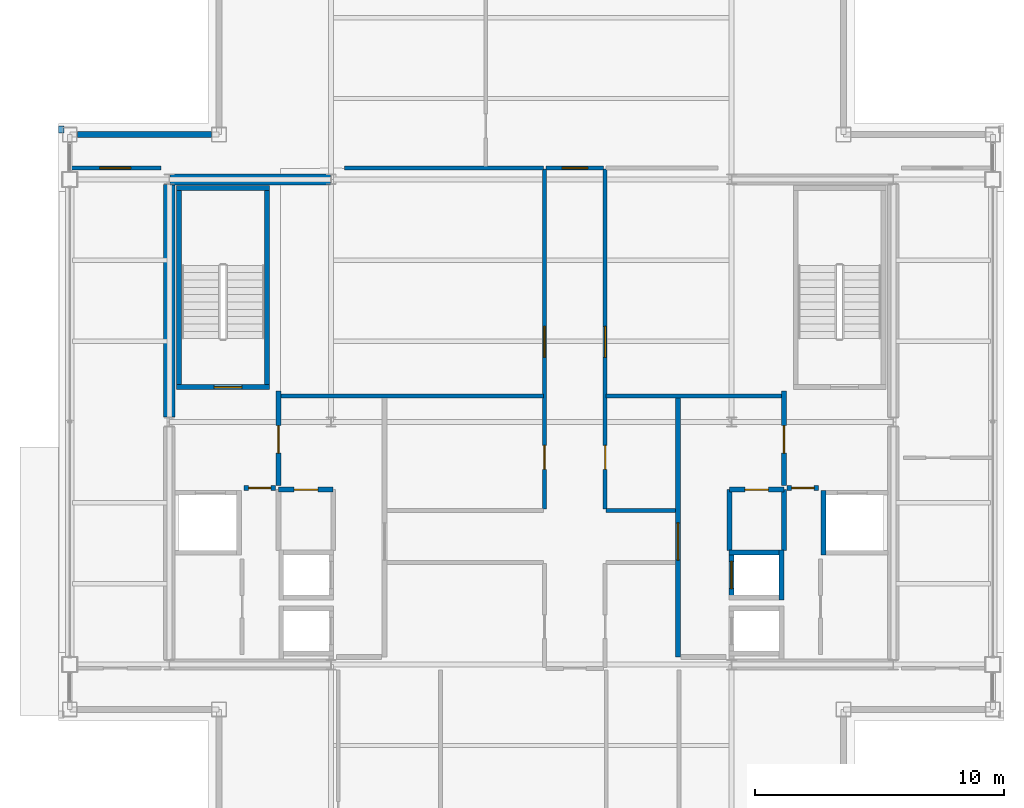
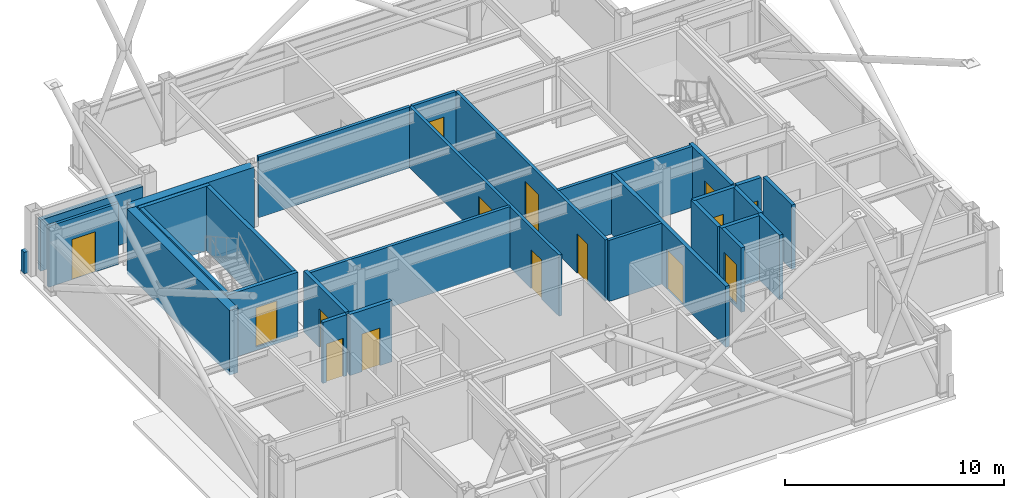
# One storey, part 22 of 24: 29 walls, 15 doors, 15 openings.
"""IFC4 building model written with IfcOpenShell, lengths in metres."""

from ifc_helpers import new_model, si_unit, direction, frame, frame_2d, origin, place, context, subcontext, project, spatial, rectangle, extrude, material, layer, layer_set, type_object, element, fill, save


model = new_model("IFC4")

# Units and contexts
model_context = context("Model", 3, precision=1e-05, world=origin(), true_north=direction((0.0, 1.0)))
body_context = subcontext(model_context, "Body", "Model", "MODEL_VIEW")
ifc_project = project(units=[si_unit("LENGTHUNIT", "METRE"), si_unit("AREAUNIT", "SQUARE_METRE"), si_unit("VOLUMEUNIT", "CUBIC_METRE"), si_unit("PLANEANGLEUNIT", "RADIAN"), si_unit("MASSUNIT", "GRAM", prefix="KILO")], contexts=[model_context])

# Site, building, storey
site_placement = place(None, origin())
site = spatial("IfcSite", under=ifc_project, at=site_placement, CompositionType="ELEMENT")
building_placement = place(site_placement, origin())
building = spatial("IfcBuilding", under=site, at=building_placement, Name="Brelmoor Portico Tower", CompositionType="ELEMENT")
storey_placement = place(building_placement, frame((0.0, 0.0, 268.800048828125)))
storey = spatial("IfcBuildingStorey", under=building, at=storey_placement, Name="L71", CompositionType="ELEMENT", Elevation=268.800048828125)

# Walls
ifc_material_1 = material(Name="Concrete C50", Category="concrete")
ifc_layer_1 = layer(ifc_material_1, 0.449951171875)
ifc_layer_set_1 = layer_set([ifc_layer_1], Name="Concrete C50")
wall_type_1 = type_object("IfcWallType", Name="WL-CORE-450", PredefinedType="SHEAR", material=ifc_layer_set_1)
wall_1_placement = place(storey_placement, frame((-14.530029296875, 9.75, -0.199951171875), z_axis=(0.0, 0.0, 1.0), x_axis=(1.0, 0.0, 0.0)))
element("IfcWall", 1, at=wall_1_placement, inside=storey, type_object=wall_type_1, Name="L71 WC North Shear Wall", PredefinedType="SHEAR", context=body_context, shape_type="SweptSolid", body=[
    extrude(rectangle(XDim=6.4599609375, YDim=0.449951171875, at=frame_2d((3.22998046875, 0.0))), origin(), (0.0, 0.0, 1.0), 3.599853515625),
])
wall_2_placement = place(storey_placement, frame((-14.550048828125, 0.199951171875, -0.199951171875), z_axis=(0.0, 0.0, 1.0), x_axis=(0.0, 1.0, 0.0)))
element("IfcWall", 2, at=wall_2_placement, inside=storey, type_object=wall_type_1, Name="L71 WC Outer North Shear Wall", PredefinedType="SHEAR", context=body_context, shape_type="SweptSolid", body=[
    extrude(rectangle(XDim=9.35009765625, YDim=0.449951171875, at=frame_2d((4.675048828125, 0.0))), origin(), (0.0, 0.0, 1.0), 3.599853515625),
])
ifc_material_2 = material(Name="Precast Concrete C40 Insulated Facade Wall", Category="concrete")
ifc_layer_2 = layer(ifc_material_2, 0.25)
ifc_layer_set_2 = layer_set([ifc_layer_2], Name="Precast Concrete C40 Insulated Facade Wall")
wall_type_2 = type_object("IfcWallType", Name="WL-EXT-250", PredefinedType="STANDARD", material=ifc_layer_set_2)
wall_3_placement = place(storey_placement, frame((-18.239990234375, 11.550048828125, 0.0), z_axis=(0.0, 0.0, 1.0), x_axis=(1.0, 0.0, 0.0)))
element("IfcWall", 3, at=wall_3_placement, inside=storey, type_object=wall_type_2, Name="L71 Corner Notch Facade Wall NNWH1", PredefinedType="STANDARD", context=body_context, shape_type="SweptSolid", body=[
    extrude(rectangle(XDim=5.3798828125, YDim=0.25, at=frame_2d((2.68994140625, 0.0))), origin(), (0.0, 0.0, 1.0), 2.849853515625),
])
ifc_material_3 = material(Name="Concrete C40 Parapet Upstand", Category="concrete")
ifc_layer_3 = layer(ifc_material_3, 0.219970703125)
ifc_layer_set_3 = layer_set([ifc_layer_3], Name="Concrete C40 Parapet Upstand")
wall_type_3 = type_object("IfcWallType", Name="WL-PARAPET-220", PredefinedType="PARAPET", material=ifc_layer_set_3)
wall_4_placement = place(storey_placement, frame((-18.889892578125, 11.6201171875, 0.0), z_axis=(0.0, 0.0, 1.0), x_axis=(0.0, 1.0, 0.0)))
element("IfcWall", 4, at=wall_4_placement, inside=storey, type_object=wall_type_3, Name="L71 Chamfer Vertex Parapet Pier NW2", PredefinedType="PARAPET", context=body_context, shape_type="SweptSolid", body=[
    extrude(rectangle(XDim=0.269775390625, YDim=0.219970703125, at=frame_2d((0.134765625, 0.0))), origin(), (0.0, 0.0, 1.0), 1.199951171875),
])

# Wall, opening, door
ifc_material_4 = material(Name="Wet-Area Moisture-Resistant Partition", Category="gypsum")
ifc_layer_4 = layer(ifc_material_4, 0.14990234375)
ifc_layer_set_4 = layer_set([ifc_layer_4], Name="Wet-Area Moisture-Resistant Partition")
wall_type_4 = type_object("IfcWallType", Name="WL-PART-150", PredefinedType="PARTITIONING", material=ifc_layer_set_4)
wall_5_placement = place(storey_placement, frame((-18.56005859375, 10.2099609375, 0.0), z_axis=(0.0, 0.0, 1.0), x_axis=(1.0, 0.0, 0.0)))
wall_5 = element("IfcWall", 5, at=wall_5_placement, inside=storey, type_object=wall_type_4, Name="L71 North Wing Suite Wall WL", PredefinedType="PARTITIONING", context=body_context, shape_type="SweptSolid", body=[
    extrude(rectangle(XDim=3.68017578125, YDim=0.14990234375, at=frame_2d((1.840087890625, 0.0))), origin(), (0.0, 0.0, 1.0), 3.39990234375),
])
opening_1_placement = place(wall_5_placement, frame((1.219970703125, 0.0, 0.0)))
opening_1 = element("IfcOpeningElement", 6, at=opening_1_placement, cuts=wall_5, Name="Opening D-SU1", PredefinedType="OPENING", context=body_context, shape_type="SweptSolid", body=[
    extrude(rectangle(XDim=1.239990234375, YDim=2.239990234375, at=frame_2d((0.6201171875, 1.1201171875))), frame((0.0, 0.0849609375, 0.0), z_axis=(0.0, -1.0, 0.0), x_axis=(1.0, 0.0, 0.0)), (0.0, 0.0, 1.0), 0.169921875),
])
ifc_material_5 = material(Name="Glazed Timber Executive Suite Door", Category="wood")
door_type_1 = type_object("IfcDoorType", Name="DR-SUITE-1200", OperationType="NOTDEFINED", PredefinedType="DOOR", material=ifc_material_5)
door_1_placement = place(opening_1_placement, origin())
door_1 = element("IfcDoor", 7, at=door_1_placement, inside=storey, type_object=door_type_1, Name="D-2921 L71 WL Wing Suite Connecting Door", OperationType="SINGLE_SWING_LEFT", OverallHeight=2.239990234375, OverallWidth=1.239990234375, PredefinedType="DOOR", context=body_context, shape_type="SweptSolid", body=[
    extrude(rectangle(XDim=1.239990234375, YDim=2.239990234375, at=frame_2d((0.6201171875, 1.1201171875))), frame((0.0, 0.02490234375, 0.0), z_axis=(0.0, -1.0, 0.0), x_axis=(1.0, 0.0, 0.0)), (0.0, 0.0, 1.0), 0.050048828125),
])
fill(opening_1, door_1)

# Wall
ifc_material_6 = material(Name="Twin-Frame Acoustic Partition", Category="gypsum")
ifc_layer_5 = layer(ifc_material_6, 0.159912109375)
ifc_layer_set_5 = layer_set([ifc_layer_5], Name="Twin-Frame Acoustic Partition")
wall_type_5 = type_object("IfcWallType", Name="WL-PART-160", PredefinedType="PARTITIONING", material=ifc_layer_set_5)
wall_6_placement = place(storey_placement, frame((-10.050048828125, 1.050048828125, 0.0), z_axis=(0.0, 0.0, 1.0), x_axis=(1.0, 0.0, 0.0)))
element("IfcWall", 8, at=wall_6_placement, inside=storey, type_object=wall_type_5, Name="L71 West Reclaimed Suite South Wall", PredefinedType="PARTITIONING", context=body_context, shape_type="SweptSolid", body=[
    extrude(rectangle(XDim=10.5400390625, YDim=0.159912109375, at=frame_2d((5.27001953125, 0.0))), origin(), (0.0, 0.0, 1.0), 3.39990234375),
])

# Wall, openings, doors
wall_7_placement = place(storey_placement, frame((0.530029296875, -3.5, 0.0), z_axis=(0.0, 0.0, 1.0), x_axis=(0.0, 1.0, 0.0)))
wall_7 = element("IfcWall", 9, at=wall_7_placement, inside=storey, type_object=wall_type_5, Name="L71 Central Cross West Wall", PredefinedType="PARTITIONING", context=body_context, shape_type="SweptSolid", body=[
    extrude(rectangle(XDim=13.669921875, YDim=0.159912109375, at=frame_2d((6.8349609375, 0.0))), origin(), (0.0, 0.0, 1.0), 3.39990234375),
])
opening_2_placement = place(wall_7_placement, frame((6.10009765625, 0.0, 0.0)))
opening_2 = element("IfcOpeningElement", 10, at=opening_2_placement, cuts=wall_7, Name="Opening D-SU1", PredefinedType="OPENING", context=body_context, shape_type="SweptSolid", body=[
    extrude(rectangle(XDim=1.239990234375, YDim=2.239990234375, at=frame_2d((0.6201171875, 1.1201171875))), frame((0.0, 0.08984375, 0.0), z_axis=(0.0, -1.0, 0.0), x_axis=(1.0, 0.0, 0.0)), (0.0, 0.0, 1.0), 0.179931640625),
])
opening_3_placement = place(wall_7_placement, frame((1.60009765625, 0.0, 0.0)))
opening_3 = element("IfcOpeningElement", 11, at=opening_3_placement, cuts=wall_7, Name="Opening D-IN2", PredefinedType="OPENING", context=body_context, shape_type="SweptSolid", body=[
    extrude(rectangle(XDim=0.9599609375, YDim=2.179931640625, at=frame_2d((0.47998046875, 1.08984375))), frame((0.0, 0.08984375, 0.0), z_axis=(0.0, -1.0, 0.0), x_axis=(1.0, 0.0, 0.0)), (0.0, 0.0, 1.0), 0.179931640625),
])
ifc_material_7 = material(Name="Lacquered Timber Suite Door", Category="wood")
door_type_2 = type_object("IfcDoorType", Name="DR-INT-950", OperationType="NOTDEFINED", PredefinedType="DOOR", material=ifc_material_7)
door_2_placement = place(opening_3_placement, origin())
door_2 = element("IfcDoor", 12, at=door_2_placement, inside=storey, type_object=door_type_2, Name="D-2906 L71 Staff Pantry Door", OperationType="SINGLE_SWING_RIGHT", OverallHeight=2.179931640625, OverallWidth=0.9599609375, PredefinedType="DOOR", context=body_context, shape_type="SweptSolid", body=[
    extrude(rectangle(XDim=0.9599609375, YDim=2.179931640625, at=frame_2d((0.47998046875, 1.08984375))), frame((0.0, 0.02490234375, 0.0), z_axis=(0.0, -1.0, 0.0), x_axis=(1.0, 0.0, 0.0)), (0.0, 0.0, 1.0), 0.050048828125),
])
fill(opening_3, door_2)
door_3_placement = place(opening_2_placement, origin())
door_3 = element("IfcDoor", 13, at=door_3_placement, inside=storey, type_object=door_type_1, Name="D-2907 L71 West Reclaimed Studio Door", OperationType="SINGLE_SWING_LEFT", OverallHeight=2.239990234375, OverallWidth=1.239990234375, PredefinedType="DOOR", context=body_context, shape_type="SweptSolid", body=[
    extrude(rectangle(XDim=1.239990234375, YDim=2.239990234375, at=frame_2d((0.6201171875, 1.1201171875))), frame((0.0, 0.02490234375, 0.0), z_axis=(0.0, -1.0, 0.0), x_axis=(1.0, 0.0, 0.0)), (0.0, 0.0, 1.0), 0.050048828125),
])
fill(opening_2, door_3)

# Walls
wall_8_placement = place(storey_placement, frame((-7.5, 10.2099609375, 0.0), z_axis=(0.0, 0.0, 1.0), x_axis=(1.0, 0.0, 0.0)))
element("IfcWall", 14, at=wall_8_placement, inside=storey, type_object=wall_type_5, Name="L71 West Reclaimed Suite North Wall", PredefinedType="PARTITIONING", context=body_context, shape_type="SweptSolid", body=[
    extrude(rectangle(XDim=7.989990234375, YDim=0.159912109375, at=frame_2d((3.9951171875, 0.0))), origin(), (0.0, 0.0, 1.0), 3.39990234375),
])
wall_9_placement = place(storey_placement, frame((3.010009765625, 1.050048828125, 0.0), z_axis=(0.0, 0.0, 1.0), x_axis=(1.0, 0.0, 0.0)))
element("IfcWall", 15, at=wall_9_placement, inside=storey, type_object=wall_type_5, Name="L71 East Suite South Wall", PredefinedType="PARTITIONING", context=body_context, shape_type="SweptSolid", body=[
    extrude(rectangle(XDim=7.050048828125, YDim=0.159912109375, at=frame_2d((3.52490234375, 0.0))), origin(), (0.0, 0.0, 1.0), 3.39990234375),
])

# Wall, openings, doors
wall_10_placement = place(storey_placement, frame((2.969970703125, -3.5, 0.0), z_axis=(0.0, 0.0, 1.0), x_axis=(0.0, 1.0, 0.0)))
wall_10 = element("IfcWall", 16, at=wall_10_placement, inside=storey, type_object=wall_type_5, Name="L71 Central Cross East Wall", PredefinedType="PARTITIONING", context=body_context, shape_type="SweptSolid", body=[
    extrude(rectangle(XDim=13.669921875, YDim=0.159912109375, at=frame_2d((6.8349609375, 0.0))), origin(), (0.0, 0.0, 1.0), 3.39990234375),
])
opening_4_placement = place(wall_10_placement, frame((6.10009765625, 0.0, 0.0)))
opening_4 = element("IfcOpeningElement", 17, at=opening_4_placement, cuts=wall_10, Name="Opening D-SU1", PredefinedType="OPENING", context=body_context, shape_type="SweptSolid", body=[
    extrude(rectangle(XDim=1.239990234375, YDim=2.239990234375, at=frame_2d((0.6201171875, 1.1201171875))), frame((0.0, 0.08984375, 0.0), z_axis=(0.0, -1.0, 0.0), x_axis=(1.0, 0.0, 0.0)), (0.0, 0.0, 1.0), 0.179931640625),
])
opening_5_placement = place(wall_10_placement, frame((1.60009765625, 0.0, 0.0)))
opening_5 = element("IfcOpeningElement", 18, at=opening_5_placement, cuts=wall_10, Name="Opening D-IN2", PredefinedType="OPENING", context=body_context, shape_type="SweptSolid", body=[
    extrude(rectangle(XDim=0.9599609375, YDim=2.179931640625, at=frame_2d((0.47998046875, 1.08984375))), frame((0.0, 0.08984375, 0.0), z_axis=(0.0, -1.0, 0.0), x_axis=(1.0, 0.0, 0.0)), (0.0, 0.0, 1.0), 0.179931640625),
])
door_4_placement = place(opening_5_placement, origin())
door_4 = element("IfcDoor", 19, at=door_4_placement, inside=storey, type_object=door_type_2, Name="D-2902 L71 Client Project Office Door", OperationType="SINGLE_SWING_RIGHT", OverallHeight=2.179931640625, OverallWidth=0.9599609375, PredefinedType="DOOR", context=body_context, shape_type="SweptSolid", body=[
    extrude(rectangle(XDim=0.9599609375, YDim=2.179931640625, at=frame_2d((0.47998046875, 1.08984375))), frame((0.0, 0.02490234375, 0.0), z_axis=(0.0, -1.0, 0.0), x_axis=(1.0, 0.0, 0.0)), (0.0, 0.0, 1.0), 0.050048828125),
])
fill(opening_5, door_4)
door_5_placement = place(opening_4_placement, origin())
door_5 = element("IfcDoor", 20, at=door_5_placement, inside=storey, type_object=door_type_1, Name="D-2903 L71 East Reclaimed Studio Door", OperationType="SINGLE_SWING_LEFT", OverallHeight=2.239990234375, OverallWidth=1.239990234375, PredefinedType="DOOR", context=body_context, shape_type="SweptSolid", body=[
    extrude(rectangle(XDim=1.239990234375, YDim=2.239990234375, at=frame_2d((0.6201171875, 1.1201171875))), frame((0.0, 0.02490234375, 0.0), z_axis=(0.0, -1.0, 0.0), x_axis=(1.0, 0.0, 0.0)), (0.0, 0.0, 1.0), 0.050048828125),
])
fill(opening_4, door_5)

# Wall
wall_11_placement = place(storey_placement, frame((3.010009765625, -3.550048828125, 0.0), z_axis=(0.0, 0.0, 1.0), x_axis=(1.0, 0.0, 0.0)))
element("IfcWall", 21, at=wall_11_placement, inside=storey, type_object=wall_type_5, Name="L71 East Office South Wall", PredefinedType="PARTITIONING", context=body_context, shape_type="SweptSolid", body=[
    extrude(rectangle(XDim=2.7900390625, YDim=0.159912109375, at=frame_2d((1.39501953125, 0.0))), origin(), (0.0, 0.0, 1.0), 3.39990234375),
])

# Wall, opening, door
wall_12_placement = place(storey_placement, frame((0.60009765625, 10.2099609375, 0.0), z_axis=(0.0, 0.0, 1.0), x_axis=(1.0, 0.0, 0.0)))
wall_12 = element("IfcWall", 22, at=wall_12_placement, inside=storey, type_object=wall_type_5, Name="L71 North Corridor Partition", PredefinedType="PARTITIONING", context=body_context, shape_type="SweptSolid", body=[
    extrude(rectangle(XDim=2.2998046875, YDim=0.159912109375, at=frame_2d((1.14990234375, 0.0))), origin(), (0.0, 0.0, 1.0), 3.39990234375),
])
opening_6_placement = place(wall_12_placement, frame((0.639892578125, 0.0, 0.0)))
opening_6 = element("IfcOpeningElement", 23, at=opening_6_placement, cuts=wall_12, Name="Opening D-OF1", PredefinedType="OPENING", context=body_context, shape_type="SweptSolid", body=[
    extrude(rectangle(XDim=1.02001953125, YDim=2.199951171875, at=frame_2d((0.510009765625, 1.10009765625))), frame((0.0, 0.08984375, 0.0), z_axis=(0.0, -1.0, 0.0), x_axis=(1.0, 0.0, 0.0)), (0.0, 0.0, 1.0), 0.179931640625),
])
ifc_material_8 = material(Name="Hardwood Acoustic Veneer Door", Category="wood")
door_type_3 = type_object("IfcDoorType", Name="DR-OFFICE-1000", OperationType="NOTDEFINED", PredefinedType="DOOR", material=ifc_material_8)
door_6_placement = place(opening_6_placement, origin())
door_6 = element("IfcDoor", 24, at=door_6_placement, inside=storey, type_object=door_type_3, Name="D-2918 L71 North Wellness Counseling Room 2 Door", OperationType="SINGLE_SWING_RIGHT", OverallHeight=2.199951171875, OverallWidth=1.02001953125, PredefinedType="DOOR", context=body_context, shape_type="SweptSolid", body=[
    extrude(rectangle(XDim=1.02001953125, YDim=2.199951171875, at=frame_2d((0.510009765625, 1.10009765625))), frame((0.0, 0.02490234375, 0.0), z_axis=(0.0, -1.0, 0.0), x_axis=(1.0, 0.0, 0.0)), (0.0, 0.0, 1.0), 0.050048828125),
])
fill(opening_6, door_6)

ifc_material_9 = material(Name="Double-Stud Gypsum Fire Partition", Category="gypsum")
ifc_layer_6 = layer(ifc_material_9, 0.199951171875)
ifc_layer_set_6 = layer_set([ifc_layer_6], Name="Double-Stud Gypsum Fire Partition")
wall_type_6 = type_object("IfcWallType", Name="WL-PART-200", PredefinedType="PARTITIONING", material=ifc_layer_set_6)
wall_13_placement = place(storey_placement, frame((-10.159912109375, -2.550048828125, 0.0), z_axis=(0.0, 0.0, 1.0), x_axis=(0.0, 1.0, 0.0)))
wall_13 = element("IfcWall", 25, at=wall_13_placement, inside=storey, type_object=wall_type_6, Name="L71 W Firefighting Lobby Wall", PredefinedType="PARTITIONING", context=body_context, shape_type="SweptSolid", body=[
    extrude(rectangle(XDim=3.800048828125, YDim=0.199951171875, at=frame_2d((1.89990234375, 0.0))), origin(), (0.0, 0.0, 1.0), 3.39990234375),
])
opening_7_placement = place(wall_13_placement, frame((1.300048828125, 0.0, 0.0)))
opening_7 = element("IfcOpeningElement", 26, at=opening_7_placement, cuts=wall_13, Name="Opening D-FR1", PredefinedType="OPENING", context=body_context, shape_type="SweptSolid", body=[
    extrude(rectangle(XDim=1.10009765625, YDim=2.14990234375, at=frame_2d((0.550048828125, 1.074951171875))), frame((0.0, 0.10986328125, 0.0), z_axis=(0.0, -1.0, 0.0), x_axis=(1.0, 0.0, 0.0)), (0.0, 0.0, 1.0), 0.219970703125),
])
ifc_material_10 = material(Name="Painted Galvanised Steel Fire Door", Category="steel")
door_type_4 = type_object("IfcDoorType", Name="DR-FIRE-1100", OperationType="NOTDEFINED", PredefinedType="DOOR", material=ifc_material_10)
door_7_placement = place(opening_7_placement, origin())
door_7 = element("IfcDoor", 27, at=door_7_placement, inside=storey, type_object=door_type_4, Name="D-2915 L71 W Firefighting Lobby Door", OperationType="SINGLE_SWING_LEFT", OverallHeight=2.14990234375, OverallWidth=1.10009765625, PredefinedType="DOOR", context=body_context, shape_type="SweptSolid", body=[
    extrude(rectangle(XDim=1.10009765625, YDim=2.14990234375, at=frame_2d((0.550048828125, 1.074951171875))), frame((0.0, 0.02490234375, 0.0), z_axis=(0.0, -1.0, 0.0), x_axis=(1.0, 0.0, 0.0)), (0.0, 0.0, 1.0), 0.050048828125),
])
fill(opening_7, door_7)

wall_14_placement = place(storey_placement, frame((-10.280029296875, -2.64990234375, 0.0), z_axis=(0.0, 0.0, 1.0), x_axis=(-1.0, 0.0, 0.0)))
wall_14 = element("IfcWall", 28, at=wall_14_placement, inside=storey, type_object=wall_type_6, Name="L71 W Firefighting Lobby South Wall", PredefinedType="PARTITIONING", context=body_context, shape_type="SweptSolid", body=[
    extrude(rectangle(XDim=1.27001953125, YDim=0.199951171875, at=frame_2d((0.635009765625, 0.0))), origin(), (0.0, 0.0, 1.0), 3.39990234375),
])
opening_8_placement = place(wall_14_placement, frame((0.18505859375, 0.0, 0.0)))
opening_8 = element("IfcOpeningElement", 29, at=opening_8_placement, cuts=wall_14, Name="Opening D-IN1", PredefinedType="OPENING", context=body_context, shape_type="SweptSolid", body=[
    extrude(rectangle(XDim=0.89990234375, YDim=2.14990234375, at=frame_2d((0.449951171875, 1.074951171875))), frame((0.0, 0.10986328125, 0.0), z_axis=(0.0, -1.0, 0.0), x_axis=(1.0, 0.0, 0.0)), (0.0, 0.0, 1.0), 0.219970703125),
])
door_type_5 = type_object("IfcDoorType", Name="DR-INT-900", OperationType="NOTDEFINED", PredefinedType="DOOR", material=ifc_material_7)
door_8_placement = place(opening_8_placement, origin())
door_8 = element("IfcDoor", 30, at=door_8_placement, inside=storey, type_object=door_type_5, Name="D-2910 L71 W Core Service Vestibule Door", OperationType="SINGLE_SWING_RIGHT", OverallHeight=2.14990234375, OverallWidth=0.89990234375, PredefinedType="DOOR", context=body_context, shape_type="SweptSolid", body=[
    extrude(rectangle(XDim=0.89990234375, YDim=2.14990234375, at=frame_2d((0.449951171875, 1.074951171875))), frame((0.0, 0.02490234375, 0.0), z_axis=(0.0, -1.0, 0.0), x_axis=(1.0, 0.0, 0.0)), (0.0, 0.0, 1.0), 0.050048828125),
])
fill(opening_8, door_8)

wall_15_placement = place(storey_placement, frame((-7.9599609375, -2.719970703125, 0.0), z_axis=(0.0, 0.0, 1.0), x_axis=(-1.0, 0.0, 0.0)))
wall_15 = element("IfcWall", 31, at=wall_15_placement, inside=storey, type_object=wall_type_6, Name="L71 W Electrical Switchgear Closet Wall", PredefinedType="PARTITIONING", context=body_context, shape_type="SweptSolid", body=[
    extrude(rectangle(XDim=2.199951171875, YDim=0.199951171875, at=frame_2d((1.10009765625, 0.0))), origin(), (0.0, 0.0, 1.0), 3.39990234375),
])
opening_9_placement = place(wall_15_placement, frame((0.6201171875, 0.0, 0.0)))
opening_9 = element("IfcOpeningElement", 32, at=opening_9_placement, cuts=wall_15, Name="Opening D-FR4", PredefinedType="OPENING", context=body_context, shape_type="SweptSolid", body=[
    extrude(rectangle(XDim=0.949951171875, YDim=2.10009765625, at=frame_2d((0.47509765625, 1.050048828125))), frame((0.0, 0.10986328125, 0.0), z_axis=(0.0, -1.0, 0.0), x_axis=(1.0, 0.0, 0.0)), (0.0, 0.0, 1.0), 0.219970703125),
])
ifc_material_11 = material(Name="Painted Galvanised Steel Riser Door", Category="steel")
door_type_6 = type_object("IfcDoorType", Name="DR-FIRE-950", OperationType="NOTDEFINED", PredefinedType="DOOR", material=ifc_material_11)
door_9_placement = place(opening_9_placement, origin())
door_9 = element("IfcDoor", 33, at=door_9_placement, inside=storey, type_object=door_type_6, Name="D-2913 L71 W Electrical Switchgear Closet Door", OperationType="SINGLE_SWING_LEFT", OverallHeight=2.10009765625, OverallWidth=0.949951171875, PredefinedType="DOOR", context=body_context, shape_type="SweptSolid", body=[
    extrude(rectangle(XDim=0.949951171875, YDim=2.10009765625, at=frame_2d((0.47509765625, 1.050048828125))), frame((0.0, 0.02490234375, 0.0), z_axis=(0.0, -1.0, 0.0), x_axis=(1.0, 0.0, 0.0)), (0.0, 0.0, 1.0), 0.050048828125),
])
fill(opening_9, door_9)

wall_16_placement = place(storey_placement, frame((5.89990234375, -9.449951171875, 0.0), z_axis=(0.0, 0.0, 1.0), x_axis=(0.0, 1.0, 0.0)))
wall_16 = element("IfcWall", 34, at=wall_16_placement, inside=storey, type_object=wall_type_6, Name="L71 E Core Lobby Compartment Wall", PredefinedType="PARTITIONING", context=body_context, shape_type="SweptSolid", body=[
    extrude(rectangle(XDim=10.5, YDim=0.199951171875, at=frame_2d((5.25, 0.0))), origin(), (0.0, 0.0, 1.0), 3.39990234375),
])
opening_10_placement = place(wall_16_placement, frame((3.89990234375, 0.0, 0.0)))
opening_10 = element("IfcOpeningElement", 35, at=opening_10_placement, cuts=wall_16, Name="Opening D-LB1", PredefinedType="OPENING", context=body_context, shape_type="SweptSolid", body=[
    extrude(rectangle(XDim=1.5, YDim=2.199951171875, at=frame_2d((0.75, 1.10009765625))), frame((0.0, 0.10986328125, 0.0), z_axis=(0.0, -1.0, 0.0), x_axis=(1.0, 0.0, 0.0)), (0.0, 0.0, 1.0), 0.219970703125),
])
ifc_material_12 = material(Name="Double-Leaf Glazed Steel Fire Door", Category="steel")
door_type_7 = type_object("IfcDoorType", Name="DR-LOBBY-1500", OperationType="NOTDEFINED", PredefinedType="DOOR", material=ifc_material_12)
door_10_placement = place(opening_10_placement, origin())
door_10 = element("IfcDoor", 36, at=door_10_placement, inside=storey, type_object=door_type_7, Name="D-2916 L71 E Lift Lobby Main Door", OperationType="DOUBLE_DOOR_SINGLE_SWING", OverallHeight=2.199951171875, OverallWidth=1.5, PredefinedType="DOOR", context=body_context, shape_type="SweptSolid", body=[
    extrude(rectangle(XDim=1.5, YDim=2.199951171875, at=frame_2d((0.75, 1.10009765625))), frame((0.0, 0.02490234375, 0.0), z_axis=(0.0, -1.0, 0.0), x_axis=(1.0, 0.0, 0.0)), (0.0, 0.0, 1.0), 0.050048828125),
])
fill(opening_10, door_10)

wall_17_placement = place(storey_placement, frame((10.159912109375, -2.550048828125, 0.0), z_axis=(0.0, 0.0, 1.0), x_axis=(0.0, 1.0, 0.0)))
wall_17 = element("IfcWall", 37, at=wall_17_placement, inside=storey, type_object=wall_type_6, Name="L71 E Firefighting Lobby Wall", PredefinedType="PARTITIONING", context=body_context, shape_type="SweptSolid", body=[
    extrude(rectangle(XDim=3.800048828125, YDim=0.199951171875, at=frame_2d((1.89990234375, 0.0))), origin(), (0.0, 0.0, 1.0), 3.39990234375),
])
opening_11_placement = place(wall_17_placement, frame((1.300048828125, 0.0, 0.0)))
opening_11 = element("IfcOpeningElement", 38, at=opening_11_placement, cuts=wall_17, Name="Opening D-FR1", PredefinedType="OPENING", context=body_context, shape_type="SweptSolid", body=[
    extrude(rectangle(XDim=1.10009765625, YDim=2.14990234375, at=frame_2d((0.550048828125, 1.074951171875))), frame((0.0, 0.10986328125, 0.0), z_axis=(0.0, -1.0, 0.0), x_axis=(1.0, 0.0, 0.0)), (0.0, 0.0, 1.0), 0.219970703125),
])
door_11_placement = place(opening_11_placement, origin())
door_11 = element("IfcDoor", 39, at=door_11_placement, inside=storey, type_object=door_type_4, Name="D-2914 L71 E Firefighting Lobby Door", OperationType="SINGLE_SWING_LEFT", OverallHeight=2.14990234375, OverallWidth=1.10009765625, PredefinedType="DOOR", context=body_context, shape_type="SweptSolid", body=[
    extrude(rectangle(XDim=1.10009765625, YDim=2.14990234375, at=frame_2d((0.550048828125, 1.074951171875))), frame((0.0, 0.02490234375, 0.0), z_axis=(0.0, -1.0, 0.0), x_axis=(1.0, 0.0, 0.0)), (0.0, 0.0, 1.0), 0.050048828125),
])
fill(opening_11, door_11)

wall_18_placement = place(storey_placement, frame((10.280029296875, -2.64990234375, 0.0), z_axis=(0.0, 0.0, 1.0), x_axis=(1.0, 0.0, 0.0)))
wall_18 = element("IfcWall", 40, at=wall_18_placement, inside=storey, type_object=wall_type_6, Name="L71 E Firefighting Lobby South Wall", PredefinedType="PARTITIONING", context=body_context, shape_type="SweptSolid", body=[
    extrude(rectangle(XDim=1.27001953125, YDim=0.199951171875, at=frame_2d((0.635009765625, 0.0))), origin(), (0.0, 0.0, 1.0), 3.39990234375),
])
opening_12_placement = place(wall_18_placement, frame((0.18505859375, 0.0, 0.0)))
opening_12 = element("IfcOpeningElement", 41, at=opening_12_placement, cuts=wall_18, Name="Opening D-IN1", PredefinedType="OPENING", context=body_context, shape_type="SweptSolid", body=[
    extrude(rectangle(XDim=0.89990234375, YDim=2.14990234375, at=frame_2d((0.449951171875, 1.074951171875))), frame((0.0, 0.10986328125, 0.0), z_axis=(0.0, -1.0, 0.0), x_axis=(1.0, 0.0, 0.0)), (0.0, 0.0, 1.0), 0.219970703125),
])
door_12_placement = place(opening_12_placement, origin())
door_12 = element("IfcDoor", 42, at=door_12_placement, inside=storey, type_object=door_type_5, Name="D-2909 L71 E Core Service Vestibule Door", OperationType="SINGLE_SWING_RIGHT", OverallHeight=2.14990234375, OverallWidth=0.89990234375, PredefinedType="DOOR", context=body_context, shape_type="SweptSolid", body=[
    extrude(rectangle(XDim=0.89990234375, YDim=2.14990234375, at=frame_2d((0.449951171875, 1.074951171875))), frame((0.0, 0.02490234375, 0.0), z_axis=(0.0, -1.0, 0.0), x_axis=(1.0, 0.0, 0.0)), (0.0, 0.0, 1.0), 0.050048828125),
])
fill(opening_12, door_12)

wall_19_placement = place(storey_placement, frame((7.9599609375, -2.719970703125, 0.0), z_axis=(0.0, 0.0, 1.0), x_axis=(1.0, 0.0, 0.0)))
wall_19 = element("IfcWall", 43, at=wall_19_placement, inside=storey, type_object=wall_type_6, Name="L71 E Electrical Switchgear Closet Wall", PredefinedType="PARTITIONING", context=body_context, shape_type="SweptSolid", body=[
    extrude(rectangle(XDim=2.199951171875, YDim=0.199951171875, at=frame_2d((1.10009765625, 0.0))), origin(), (0.0, 0.0, 1.0), 3.39990234375),
])
opening_13_placement = place(wall_19_placement, frame((0.6201171875, 0.0, 0.0)))
opening_13 = element("IfcOpeningElement", 44, at=opening_13_placement, cuts=wall_19, Name="Opening D-FR4", PredefinedType="OPENING", context=body_context, shape_type="SweptSolid", body=[
    extrude(rectangle(XDim=0.949951171875, YDim=2.10009765625, at=frame_2d((0.47509765625, 1.050048828125))), frame((0.0, 0.10986328125, 0.0), z_axis=(0.0, -1.0, 0.0), x_axis=(1.0, 0.0, 0.0)), (0.0, 0.0, 1.0), 0.219970703125),
])
door_13_placement = place(opening_13_placement, origin())
door_13 = element("IfcDoor", 45, at=door_13_placement, inside=storey, type_object=door_type_6, Name="D-2912 L71 E Electrical Switchgear Closet Door", OperationType="SINGLE_SWING_LEFT", OverallHeight=2.10009765625, OverallWidth=0.949951171875, PredefinedType="DOOR", context=body_context, shape_type="SweptSolid", body=[
    extrude(rectangle(XDim=0.949951171875, YDim=2.10009765625, at=frame_2d((0.47509765625, 1.050048828125))), frame((0.0, 0.02490234375, 0.0), z_axis=(0.0, -1.0, 0.0), x_axis=(1.0, 0.0, 0.0)), (0.0, 0.0, 1.0), 0.050048828125),
])
fill(opening_13, door_13)

# Walls
for number, where, z_axis, x_axis, name in (
    (46, (7.9599609375, -5.159912109375, 0.0), (0.0, 0.0, 1.0), (0.0, 1.0, 0.0), "L71 E Electrical Switchgear Closet Inner Wall"),
    (47, (10.159912109375, -5.159912109375, 0.0), (0.0, 0.0, 1.0), (0.0, 1.0, 0.0), "L71 E Electrical Switchgear Closet Outer Wall"),
):
    element("IfcWall", number, at=place(storey_placement, frame(where, z_axis=z_axis, x_axis=x_axis)), inside=storey, type_object=wall_type_6, Name=name, PredefinedType="PARTITIONING", context=body_context, shape_type="SweptSolid", body=[
        extrude(rectangle(XDim=2.43994140625, YDim=0.199951171875, at=frame_2d((1.219970703125, 0.0))), origin(), (0.0, 0.0, 1.0), 3.39990234375),
    ])

# Wall, opening, door
ifc_material_13 = material(Name="Precast Concrete C40", Category="concrete")
ifc_layer_7 = layer(ifc_material_13, 0.18994140625)
ifc_layer_set_7 = layer_set([ifc_layer_7], Name="Precast Concrete C40")
wall_type_7 = type_object("IfcWallType", Name="WL-SHAFT-180", PredefinedType="SOLIDWALL", material=ifc_layer_set_7)
wall_20_placement = place(storey_placement, frame((8.044921875, -7.14990234375, -0.199951171875), z_axis=(0.0, 0.0, 1.0), x_axis=(0.0, 1.0, 0.0)))
wall_20 = element("IfcWall", 48, at=wall_20_placement, inside=storey, type_object=wall_type_7, Name="L71 Lift PH4 Hoistway Front Wall", PredefinedType="SOLIDWALL", context=body_context, shape_type="SweptSolid", body=[
    extrude(rectangle(XDim=2.0, YDim=0.18994140625, at=frame_2d((1.0, 0.0))), origin(), (0.0, 0.0, 1.0), 3.599853515625),
])
opening_14_placement = place(wall_20_placement, frame((0.449951171875, 0.0, 0.199951171875)))
opening_14 = element("IfcOpeningElement", 49, at=opening_14_placement, cuts=wall_20, Name="Opening LD-01", PredefinedType="OPENING", context=body_context, shape_type="SweptSolid", body=[
    extrude(rectangle(XDim=1.10009765625, YDim=2.199951171875, at=frame_2d((0.550048828125, 1.10009765625))), frame((0.0, 0.10498046875, 0.0), z_axis=(0.0, -1.0, 0.0), x_axis=(1.0, 0.0, 0.0)), (0.0, 0.0, 1.0), 0.2099609375),
])
ifc_material_14 = material(Name="Brushed Stainless Steel Sliding Lift Door", Category="steel")
door_type_8 = type_object("IfcDoorType", Name="DR-LIFT-1100", OperationType="NOTDEFINED", PredefinedType="DOOR", material=ifc_material_14)
door_14_placement = place(opening_14_placement, origin())
door_14 = element("IfcDoor", 50, at=door_14_placement, inside=storey, type_object=door_type_8, Name="D-2937 L71 Lift PH4 Sliding Landing Door", OperationType="SLIDING_TO_LEFT", OverallHeight=2.199951171875, OverallWidth=1.10009765625, PredefinedType="DOOR", context=body_context, shape_type="SweptSolid", body=[
    extrude(rectangle(XDim=1.10009765625, YDim=2.199951171875, at=frame_2d((0.550048828125, 1.10009765625))), frame((0.0, 0.02490234375, 0.0), z_axis=(0.0, -1.0, 0.0), x_axis=(1.0, 0.0, 0.0)), (0.0, 0.0, 1.0), 0.050048828125),
])
fill(opening_14, door_14)

# Walls
wall_21_placement = place(storey_placement, frame((10.054931640625, -7.14990234375, -0.199951171875), z_axis=(0.0, 0.0, 1.0), x_axis=(0.0, 1.0, 0.0)))
element("IfcWall", 51, at=wall_21_placement, inside=storey, type_object=wall_type_7, Name="L71 Lift PH4 Hoistway Back Wall", PredefinedType="SOLIDWALL", context=body_context, shape_type="SweptSolid", body=[
    extrude(rectangle(XDim=2.0, YDim=0.18994140625, at=frame_2d((1.0, 0.0))), origin(), (0.0, 0.0, 1.0), 3.599853515625),
])
wall_22_placement = place(storey_placement, frame((7.949951171875, -5.2451171875, -0.199951171875), z_axis=(0.0, 0.0, 1.0), x_axis=(1.0, 0.0, 0.0)))
element("IfcWall", 52, at=wall_22_placement, inside=storey, type_object=wall_type_7, Name="L71 Lift PH4 Hoistway North Wall", PredefinedType="SOLIDWALL", context=body_context, shape_type="SweptSolid", body=[
    extrude(rectangle(XDim=2.199951171875, YDim=0.18994140625, at=frame_2d((1.10009765625, 0.0))), origin(), (0.0, 0.0, 1.0), 3.599853515625),
])
wall_23_placement = place(storey_placement, frame((11.7451171875, -5.35009765625, -0.199951171875), z_axis=(0.0, 0.0, 1.0), x_axis=(0.0, 1.0, 0.0)))
element("IfcWall", 53, at=wall_23_placement, inside=storey, type_object=wall_type_7, Name="L71 Firefighting Lift FF2 Inner Wall", PredefinedType="SOLIDWALL", context=body_context, shape_type="SweptSolid", body=[
    extrude(rectangle(XDim=2.60009765625, YDim=0.18994140625, at=frame_2d((1.300048828125, 0.0))), origin(), (0.0, 0.0, 1.0), 3.599853515625),
])
ifc_material_15 = material(Name="Concrete C40", Category="concrete")
ifc_layer_8 = layer(ifc_material_15, 0.199951171875)
ifc_layer_set_8 = layer_set([ifc_layer_8], Name="Concrete C40")
wall_type_8 = type_object("IfcWallType", Name="WL-SHAFT-RC200", PredefinedType="SOLIDWALL", material=ifc_layer_set_8)
wall_24_placement = place(storey_placement, frame((-14.14990234375, 1.5, -0.199951171875), z_axis=(0.0, 0.0, 1.0), x_axis=(0.0, 1.0, 0.0)))
element("IfcWall", 54, at=wall_24_placement, inside=storey, type_object=wall_type_8, Name="L71 ST-W Structural Stair Wall Outer", PredefinedType="SOLIDWALL", context=body_context, shape_type="SweptSolid", body=[
    extrude(rectangle(XDim=7.800048828125, YDim=0.199951171875, at=frame_2d((3.89990234375, 0.0))), origin(), (0.0, 0.0, 1.0), 3.599853515625),
])

# Wall, opening, door
wall_25_placement = place(storey_placement, frame((-14.25, 1.39990234375, -0.199951171875), z_axis=(0.0, 0.0, 1.0), x_axis=(1.0, 0.0, 0.0)))
wall_25 = element("IfcWall", 55, at=wall_25_placement, inside=storey, type_object=wall_type_8, Name="L71 ST-W Structural Stair Wall S", PredefinedType="SOLIDWALL", context=body_context, shape_type="SweptSolid", body=[
    extrude(rectangle(XDim=3.719970703125, YDim=0.199951171875, at=frame_2d((1.85986328125, 0.0))), origin(), (0.0, 0.0, 1.0), 3.599853515625),
])
opening_15_placement = place(wall_25_placement, frame((1.5, 0.0, 0.199951171875)))
opening_15 = element("IfcOpeningElement", 56, at=opening_15_placement, cuts=wall_25, Name="Opening D-ST1", PredefinedType="OPENING", context=body_context, shape_type="SweptSolid", body=[
    extrude(rectangle(XDim=1.1201171875, YDim=2.179931640625, at=frame_2d((0.56005859375, 1.08984375))), frame((0.0, 0.10986328125, 0.0), z_axis=(0.0, -1.0, 0.0), x_axis=(1.0, 0.0, 0.0)), (0.0, 0.0, 1.0), 0.219970703125),
])
door_type_9 = type_object("IfcDoorType", Name="DR-STAIR-1100", OperationType="NOTDEFINED", PredefinedType="DOOR", material=ifc_material_10)
door_15_placement = place(opening_15_placement, origin())
door_15 = element("IfcDoor", 57, at=door_15_placement, inside=storey, type_object=door_type_9, Name="D-2928 L71 ST-W Protected Exit Stair Door", OperationType="SINGLE_SWING_LEFT", OverallHeight=2.179931640625, OverallWidth=1.1201171875, PredefinedType="DOOR", context=body_context, shape_type="SweptSolid", body=[
    extrude(rectangle(XDim=1.1201171875, YDim=2.179931640625, at=frame_2d((0.56005859375, 1.08984375))), frame((0.0, 0.02490234375, 0.0), z_axis=(0.0, -1.0, 0.0), x_axis=(1.0, 0.0, 0.0)), (0.0, 0.0, 1.0), 0.050048828125),
])
fill(opening_15, door_15)

# Walls
wall_26_placement = place(storey_placement, frame((-14.25, 9.39990234375, -0.199951171875), z_axis=(0.0, 0.0, 1.0), x_axis=(1.0, 0.0, 0.0)))
element("IfcWall", 58, at=wall_26_placement, inside=storey, type_object=wall_type_8, Name="L71 ST-W Structural Stair Wall N", PredefinedType="SOLIDWALL", context=body_context, shape_type="SweptSolid", body=[
    extrude(rectangle(XDim=3.719970703125, YDim=0.199951171875, at=frame_2d((1.85986328125, 0.0))), origin(), (0.0, 0.0, 1.0), 3.599853515625),
])
wall_27_placement = place(storey_placement, frame((-10.6298828125, 1.5, -0.199951171875), z_axis=(0.0, 0.0, 1.0), x_axis=(0.0, 1.0, 0.0)))
element("IfcWall", 59, at=wall_27_placement, inside=storey, type_object=wall_type_8, Name="L71 ST-W Structural Stair Wall Inner", PredefinedType="SOLIDWALL", context=body_context, shape_type="SweptSolid", body=[
    extrude(rectangle(XDim=7.800048828125, YDim=0.199951171875, at=frame_2d((3.89990234375, 0.0))), origin(), (0.0, 0.0, 1.0), 3.599853515625),
])

save(model, "model.ifc")
